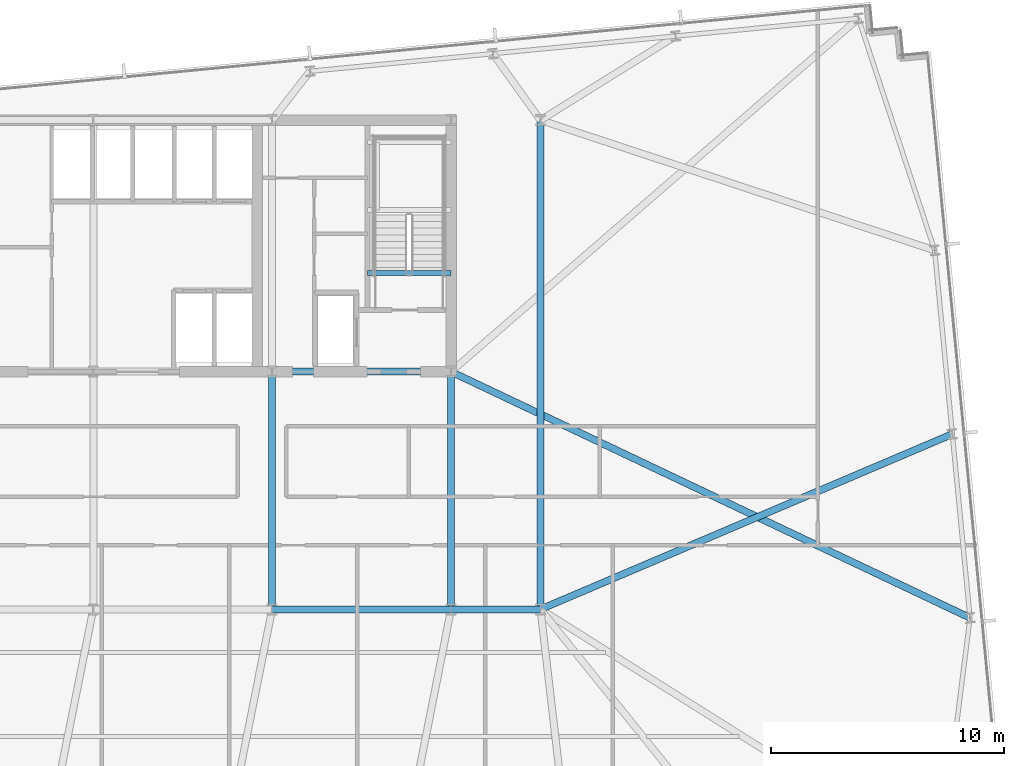
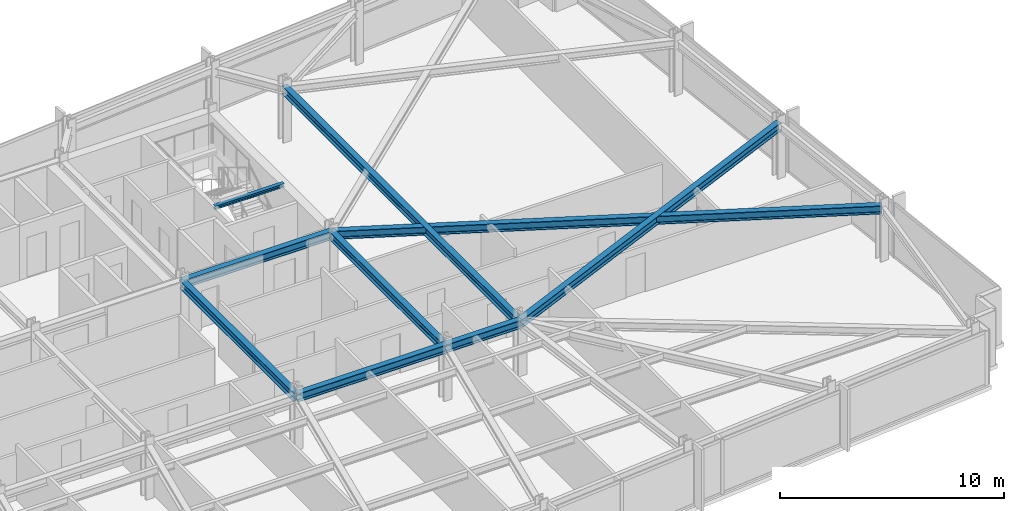
# One storey, part 15 of 32: 9 beams.
"""IFC4 building model written with IfcOpenShell, lengths in metres."""

from ifc_helpers import new_model, si_unit, direction, frame, origin, origin_2d, place, context, subcontext, project, spatial, i_section, extrude, material, material_profile, profile_set, type_object, element, save


model = new_model("IFC4")

# Units and contexts
model_context = context("Model", 3, precision=1e-05, world=origin(), true_north=direction((0.0, 1.0)))
body_context = subcontext(model_context, "Body", "Model", "MODEL_VIEW")
ifc_project = project(units=[si_unit("LENGTHUNIT", "METRE"), si_unit("AREAUNIT", "SQUARE_METRE"), si_unit("VOLUMEUNIT", "CUBIC_METRE"), si_unit("PLANEANGLEUNIT", "RADIAN"), si_unit("MASSUNIT", "GRAM", prefix="KILO")], contexts=[model_context])

# Site, building, storey
site_placement = place(None, origin())
site = spatial("IfcSite", under=ifc_project, at=site_placement, CompositionType="ELEMENT")
building_placement = place(site_placement, origin())
building = spatial("IfcBuilding", under=site, at=building_placement, Name="Yelkora Congress Tower", CompositionType="ELEMENT")
storey_placement = place(building_placement, frame((0.0, 0.0, 133.89990234375)))
storey = spatial("IfcBuildingStorey", under=building, at=storey_placement, Name="L36", CompositionType="ELEMENT", Elevation=133.89990234375)

# Beams
ifc_material = material(Name="Steel S355J2", Category="steel")
ifc_material_profile_1 = material_profile(ifc_material, i_section(OverallWidth=0.300048828125, OverallDepth=0.449951171875, WebThickness=0.013916015625, FlangeThickness=0.02587890625, FilletRadius=0.027099609375, at=origin_2d()), Name="HEB 450")
ifc_profile_set_1 = profile_set([ifc_material_profile_1], Name="Steel S355J2")
beam_type_1 = type_object("IfcBeamType", Name="BM-GIRD-HEB450", PredefinedType="BEAM", material=ifc_profile_set_1)
beam_1_placement = place(storey_placement, frame((46.080078125, 25.199951171875, 2.755126953125), z_axis=(1.0, 0.0, 0.0), x_axis=(0.0, 1.0, 0.0)))
element("IfcBeam", 1, at=beam_1_placement, inside=storey, type_object=beam_type_1, Name="L36 Spine Grid D Girder 5", PredefinedType="BEAM", context=body_context, shape_type="SweptSolid", body=[
    extrude(i_section(OverallWidth=0.300048828125, OverallDepth=0.449951171875, WebThickness=0.013916015625, FlangeThickness=0.02587890625, FilletRadius=0.027099609375, at=origin_2d()), origin(), (0.0, 0.0, 1.0), 7.679931640625),
])
beam_2_placement = place(storey_placement, frame((53.760009765625, 25.199951171875, 2.755126953125), z_axis=(1.0, 0.0, 0.0), x_axis=(0.0, 1.0, 0.0)))
element("IfcBeam", 2, at=beam_2_placement, inside=storey, type_object=beam_type_1, Name="L36 Spine Grid D Girder 6", PredefinedType="BEAM", context=body_context, shape_type="SweptSolid", body=[
    extrude(i_section(OverallWidth=0.300048828125, OverallDepth=0.449951171875, WebThickness=0.013916015625, FlangeThickness=0.02587890625, FilletRadius=0.027099609375, at=origin_2d()), origin(), (0.0, 0.0, 1.0), 3.840087890625),
])
beam_3_placement = place(storey_placement, frame((46.080078125, 35.39990234375, 2.755126953125), z_axis=(1.0, 0.0, 0.0), x_axis=(0.0, 1.0, 0.0)))
element("IfcBeam", 3, at=beam_3_placement, inside=storey, type_object=beam_type_1, Name="L36 Core South Girder 4", PredefinedType="BEAM", context=body_context, shape_type="SweptSolid", body=[
    extrude(i_section(OverallWidth=0.300048828125, OverallDepth=0.449951171875, WebThickness=0.013916015625, FlangeThickness=0.02587890625, FilletRadius=0.027099609375, at=origin_2d()), origin(), (0.0, 0.0, 1.0), 7.679931640625),
])
for number, where, z_axis, x_axis, name in (
    (4, (46.080078125, 25.199951171875, 2.755126953125), (0.0, 1.0, 0.0), (-1.0, 0.0, 0.0), "L36 Core Tie Girder MC-D4"),
    (5, (53.760009765625, 25.199951171875, 2.755126953125), (0.0, 1.0, 0.0), (-1.0, 0.0, 0.0), "L36 Core Tie Girder MC-D5"),
):
    element("IfcBeam", number, at=place(storey_placement, frame(where, z_axis=z_axis, x_axis=x_axis)), inside=storey, type_object=beam_type_1, Name=name, PredefinedType="BEAM", context=body_context, shape_type="SweptSolid", body=[
        extrude(i_section(OverallWidth=0.300048828125, OverallDepth=0.449951171875, WebThickness=0.013916015625, FlangeThickness=0.02587890625, FilletRadius=0.027099609375, at=origin_2d()), origin(), (0.0, 0.0, 1.0), 10.199951171875),
    ])
beam_4_placement = place(storey_placement, frame((57.60009765625, 25.199951171875, 2.755126953125), z_axis=(0.0, 1.0, 0.0), x_axis=(-1.0, 0.0, 0.0)))
element("IfcBeam", 6, at=beam_4_placement, inside=storey, type_object=beam_type_1, Name="L36 Neck Flank Girder MC-F2", PredefinedType="BEAM", context=body_context, shape_type="SweptSolid", body=[
    extrude(i_section(OverallWidth=0.300048828125, OverallDepth=0.449951171875, WebThickness=0.013916015625, FlangeThickness=0.02587890625, FilletRadius=0.027099609375, at=origin_2d()), origin(), (0.0, 0.0, 1.0), 21.0),
])
beam_5_placement = place(storey_placement, frame((76.041259765625, 24.83349609375, 2.755126953125), z_axis=(-0.903547447445, 0.428488051427, 0.0), x_axis=(-0.428488051427, -0.903547447445, 0.0)))
element("IfcBeam", 7, at=beam_5_placement, inside=storey, type_object=beam_type_1, Name="L36 Primary Frame Girder E01", PredefinedType="BEAM", context=body_context, shape_type="SweptSolid", body=[
    extrude(i_section(OverallWidth=0.300048828125, OverallDepth=0.449951171875, WebThickness=0.013916015625, FlangeThickness=0.02587890625, FilletRadius=0.027099609375, at=origin_2d()), origin(), (0.0, 0.0, 1.0), 24.65966796875),
])
beam_6_placement = place(storey_placement, frame((75.28173828125, 32.721923828125, 2.755126953125), z_axis=(-0.920194564302, -0.391461318432, 0.0), x_axis=(0.391461318432, -0.920194564302, 0.0)))
element("IfcBeam", 8, at=beam_6_placement, inside=storey, type_object=beam_type_1, Name="L36 Primary Frame Girder E02", PredefinedType="BEAM", context=body_context, shape_type="SweptSolid", body=[
    extrude(i_section(OverallWidth=0.300048828125, OverallDepth=0.449951171875, WebThickness=0.013916015625, FlangeThickness=0.02587890625, FilletRadius=0.027099609375, at=origin_2d()), origin(), (0.0, 0.0, 1.0), 19.215087890625),
])
ifc_material_profile_2 = material_profile(ifc_material, i_section(OverallWidth=0.199951171875, OverallDepth=0.18994140625, WebThickness=0.006591796875, FlangeThickness=0.010009765625, FilletRadius=0.01806640625, at=origin_2d()), Name="HEA 200")
ifc_profile_set_2 = profile_set([ifc_material_profile_2], Name="Steel S355J2")
beam_type_2 = type_object("IfcBeamType", Name="BM-LAND-HEA200", PredefinedType="BEAM", material=ifc_profile_set_2)
beam_7_placement = place(storey_placement, frame((50.179931640625, 39.639892578125, 2.884765625), z_axis=(1.0, 0.0, 0.0), x_axis=(0.0, 1.0, 0.0)))
element("IfcBeam", 9, at=beam_7_placement, inside=storey, type_object=beam_type_2, Name="ST-02 L36 Floor Arrival Stringer Header Beam", PredefinedType="BEAM", context=body_context, shape_type="SweptSolid", body=[
    extrude(i_section(OverallWidth=0.199951171875, OverallDepth=0.18994140625, WebThickness=0.006591796875, FlangeThickness=0.010009765625, FilletRadius=0.01806640625, at=origin_2d()), origin(), (0.0, 0.0, 1.0), 3.580078125),
])

save(model, "model.ifc")
